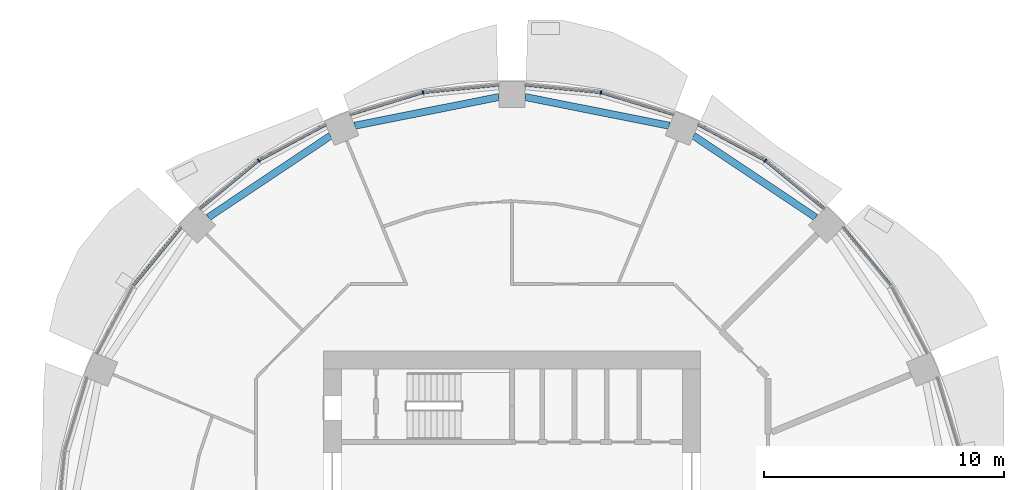
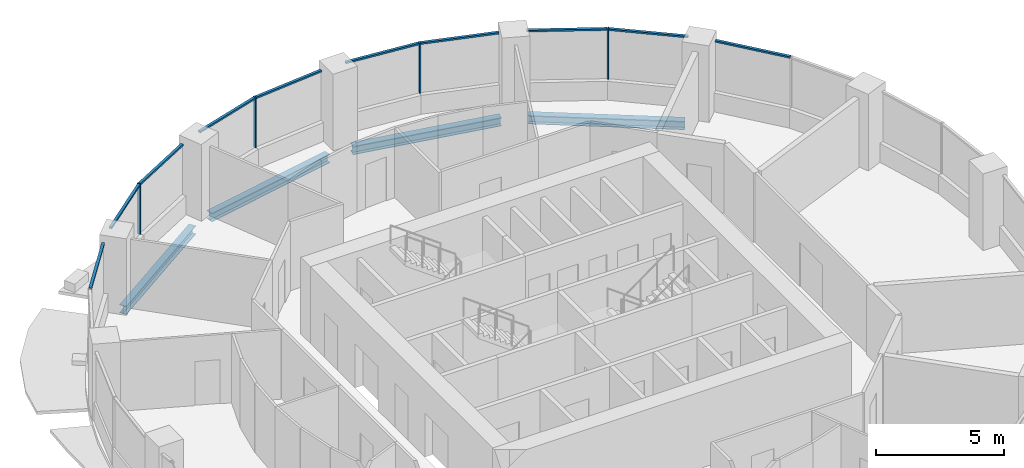
# One storey, part 5 of 14: 14 members, 4 beams, 6 elements without a shape of their own.
"""IFC4 building model written with IfcOpenShell, lengths in metres."""

from ifc_helpers import new_model, si_unit, direction, frame, origin, origin_2d, place, context, subcontext, project, spatial, rectangle, i_section, extrude, material, material_profile, profile_set, type_object, element, aggregate, save


model = new_model("IFC4")

# Units and contexts
model_context = context("Model", 3, precision=1e-05, world=origin(), true_north=direction((0.0, 1.0)))
body_context = subcontext(model_context, "Body", "Model", "MODEL_VIEW")
ifc_project = project(units=[si_unit("LENGTHUNIT", "METRE"), si_unit("AREAUNIT", "SQUARE_METRE"), si_unit("VOLUMEUNIT", "CUBIC_METRE"), si_unit("PLANEANGLEUNIT", "RADIAN"), si_unit("MASSUNIT", "GRAM", prefix="KILO")], contexts=[model_context])

# Site, building, storey
site_placement = place(None, origin())
site = spatial("IfcSite", under=ifc_project, at=site_placement, CompositionType="ELEMENT")
building_placement = place(site_placement, origin())
building = spatial("IfcBuilding", under=site, at=building_placement, Name="Polderwave Tower", CompositionType="ELEMENT")
storey_placement = place(building_placement, frame((0.0, 0.0, 105.60009765625)))
storey = spatial("IfcBuildingStorey", under=building, at=storey_placement, Name="L27", CompositionType="ELEMENT", Elevation=105.60009765625)

# Curtain wall, member
ifc_material_1 = material(Name="Aluminium 6063-T6 and glass", Category="aluminium")
curtain_wall_type = type_object("IfcCurtainWallType", Name="Growing floor ribbon glazing wall", PredefinedType="NOTDEFINED", material=ifc_material_1)
curtain_wall_1_placement = place(storey_placement, origin())
curtain_wall_1 = element("IfcCurtainWall", 1, at=curtain_wall_1_placement, inside=storey, type_object=curtain_wall_type, Name="CW2 L27 02", PredefinedType="NOTDEFINED")
ifc_material_2 = material(Name="Aluminium 6063-T6", Category="aluminium")
ifc_material_profile_1 = material_profile(ifc_material_2, rectangle(XDim=0.14990234375, YDim=0.06005859375, at=origin_2d()), Name="AL 60x150")
ifc_profile_set_1 = profile_set([ifc_material_profile_1], Name="Aluminium 6063-T6")
member_type_1 = type_object("IfcMemberType", Name="Growing floor ribbon glazing mullion 60x150", PredefinedType="MULLION", material=ifc_profile_set_1)
member_1_placement = place(storey_placement, frame((10.572998046875, 15.822998046875, 0.89990234375), z_axis=(0.0, 0.0, 1.0), x_axis=(-0.555584744817, -0.831459915646, 0.0)))
member_1 = element("IfcMember", 2, at=member_1_placement, type_object=member_type_1, Name="CW2 mullion 1", PredefinedType="MULLION", context=body_context, shape_type="SweptSolid", body=[
    extrude(rectangle(XDim=0.14990234375, YDim=0.06005859375, at=origin_2d()), origin(), (0.0, 0.0, 1.0), 2.39990234375),
])

curtain_wall_2_placement = place(storey_placement, origin())
curtain_wall_2 = element("IfcCurtainWall", 3, at=curtain_wall_2_placement, inside=storey, type_object=curtain_wall_type, Name="CW2 L27 03", PredefinedType="NOTDEFINED")
member_2_placement = place(storey_placement, frame((3.712890625, 18.6640625, 0.89990234375), z_axis=(0.0, 0.0, 1.0), x_axis=(-0.195092033809, -0.980784939905, 0.0)))
member_2 = element("IfcMember", 4, at=member_2_placement, type_object=member_type_1, Name="CW2 mullion 1", PredefinedType="MULLION", context=body_context, shape_type="SweptSolid", body=[
    extrude(rectangle(XDim=0.14990234375, YDim=0.06005859375, at=origin_2d()), origin(), (0.0, 0.0, 1.0), 2.39990234375),
])

curtain_wall_3_placement = place(storey_placement, origin())
curtain_wall_3 = element("IfcCurtainWall", 5, at=curtain_wall_3_placement, inside=storey, type_object=curtain_wall_type, Name="CW2 L27 04", PredefinedType="NOTDEFINED")
member_3_placement = place(storey_placement, frame((-3.712890625, 18.6640625, 0.89990234375), z_axis=(0.0, 0.0, 1.0), x_axis=(0.195092033809, -0.980784939905, 0.0)))
member_3 = element("IfcMember", 6, at=member_3_placement, type_object=member_type_1, Name="CW2 mullion 1", PredefinedType="MULLION", context=body_context, shape_type="SweptSolid", body=[
    extrude(rectangle(XDim=0.14990234375, YDim=0.06005859375, at=origin_2d()), origin(), (0.0, 0.0, 1.0), 2.39990234375),
])

curtain_wall_4_placement = place(storey_placement, origin())
curtain_wall_4 = element("IfcCurtainWall", 7, at=curtain_wall_4_placement, inside=storey, type_object=curtain_wall_type, Name="CW2 L27 05", PredefinedType="NOTDEFINED")
member_4_placement = place(storey_placement, frame((-10.572998046875, 15.822998046875, 0.89990234375), z_axis=(0.0, 0.0, 1.0), x_axis=(0.555584744817, -0.831459915646, 0.0)))
member_4 = element("IfcMember", 8, at=member_4_placement, type_object=member_type_1, Name="CW2 mullion 1", PredefinedType="MULLION", context=body_context, shape_type="SweptSolid", body=[
    extrude(rectangle(XDim=0.14990234375, YDim=0.06005859375, at=origin_2d()), origin(), (0.0, 0.0, 1.0), 2.39990234375),
])

curtain_wall_5_placement = place(storey_placement, origin())
curtain_wall_5 = element("IfcCurtainWall", 9, at=curtain_wall_5_placement, inside=storey, type_object=curtain_wall_type, Name="CW2 L27 01", PredefinedType="NOTDEFINED")
ifc_material_profile_2 = material_profile(ifc_material_2, rectangle(XDim=0.1201171875, YDim=0.080078125, at=origin_2d()), Name="AL 80x120")
ifc_profile_set_2 = profile_set([ifc_material_profile_2], Name="Aluminium 6063-T6")
member_type_2 = type_object("IfcMemberType", Name="Growing floor ribbon glazing transom 80x120", PredefinedType="USERDEFINED", material=ifc_profile_set_2)
member_5_placement = place(storey_placement, frame((15.803955078125, 10.59619140625, 3.260009765625), z_axis=(-0.634483003965, 0.77293681351, 0.0), x_axis=(-0.77293681351, -0.634483003965, 0.0)))
member_5 = element("IfcMember", 10, at=member_5_placement, type_object=member_type_2, Name="CW2 transom 2", ObjectType="TRANSOM", PredefinedType="USERDEFINED", context=body_context, shape_type="SweptSolid", body=[
    extrude(rectangle(XDim=0.1201171875, YDim=0.080078125, at=origin_2d()), origin(), (0.0, 0.0, 1.0), 3.1474609375),
])
aggregate(curtain_wall_5, [member_5])

# Member
member_6_placement = place(storey_placement, frame((13.029052734375, 13.806884765625, 3.260009765625), z_axis=(-0.77293681351, 0.634483003965, 0.0), x_axis=(-0.634483003965, -0.77293681351, 0.0)))
member_6 = element("IfcMember", 11, at=member_6_placement, type_object=member_type_2, Name="CW2 transom 1", ObjectType="TRANSOM", PredefinedType="USERDEFINED", context=body_context, shape_type="SweptSolid", body=[
    extrude(rectangle(XDim=0.1201171875, YDim=0.080078125, at=origin_2d()), origin(), (0.0, 0.0, 1.0), 3.1474609375),
])

member_7_placement = place(storey_placement, frame((10.54638671875, 15.837158203125, 3.260009765625), z_axis=(-0.88193611562, 0.471368950997, 0.0), x_axis=(-0.471368950997, -0.88193611562, 0.0)))
member_7 = element("IfcMember", 12, at=member_7_placement, type_object=member_type_2, Name="CW2 transom 2", ObjectType="TRANSOM", PredefinedType="USERDEFINED", context=body_context, shape_type="SweptSolid", body=[
    extrude(rectangle(XDim=0.1201171875, YDim=0.080078125, at=origin_2d()), origin(), (0.0, 0.0, 1.0), 3.14794921875),
])

aggregate(curtain_wall_1, [member_1, member_6, member_7])

member_8_placement = place(storey_placement, frame((6.75390625, 17.741943359375, 3.260009765625), z_axis=(-0.956976770627, 0.290164540356, 0.0), x_axis=(-0.290164540356, -0.956976770627, 0.0)))
member_8 = element("IfcMember", 13, at=member_8_placement, type_object=member_type_2, Name="CW2 transom 1", ObjectType="TRANSOM", PredefinedType="USERDEFINED", context=body_context, shape_type="SweptSolid", body=[
    extrude(rectangle(XDim=0.1201171875, YDim=0.080078125, at=origin_2d()), origin(), (0.0, 0.0, 1.0), 3.147705078125),
])

member_9_placement = place(storey_placement, frame((3.68310546875, 18.6669921875, 3.260009765625), z_axis=(-0.995169132792, 0.098175338745, 0.0), x_axis=(-0.098175338745, -0.995169132792, 0.0)))
member_9 = element("IfcMember", 14, at=member_9_placement, type_object=member_type_2, Name="CW2 transom 2", ObjectType="TRANSOM", PredefinedType="USERDEFINED", context=body_context, shape_type="SweptSolid", body=[
    extrude(rectangle(XDim=0.1201171875, YDim=0.080078125, at=origin_2d()), origin(), (0.0, 0.0, 1.0), 3.148193359375),
])

aggregate(curtain_wall_2, [member_2, member_8, member_9])

member_10_placement = place(storey_placement, frame((-0.550048828125, 18.97607421875, 3.260009765625), z_axis=(-0.995169132792, -0.098175338745, 0.0), x_axis=(0.098175338745, -0.995169132792, 0.0)))
member_10 = element("IfcMember", 15, at=member_10_placement, type_object=member_type_2, Name="CW2 transom 1", ObjectType="TRANSOM", PredefinedType="USERDEFINED", context=body_context, shape_type="SweptSolid", body=[
    extrude(rectangle(XDim=0.1201171875, YDim=0.080078125, at=origin_2d()), origin(), (0.0, 0.0, 1.0), 3.148193359375),
])

member_11_placement = place(storey_placement, frame((-3.74169921875, 18.6552734375, 3.260009765625), z_axis=(-0.956976770627, -0.290164540356, 0.0), x_axis=(0.290164540356, -0.956976770627, 0.0)))
member_11 = element("IfcMember", 16, at=member_11_placement, type_object=member_type_2, Name="CW2 transom 2", ObjectType="TRANSOM", PredefinedType="USERDEFINED", context=body_context, shape_type="SweptSolid", body=[
    extrude(rectangle(XDim=0.1201171875, YDim=0.080078125, at=origin_2d()), origin(), (0.0, 0.0, 1.0), 3.147705078125),
])

aggregate(curtain_wall_3, [member_3, member_10, member_11])

member_12_placement = place(storey_placement, frame((-7.77001953125, 17.321044921875, 3.260009765625), z_axis=(-0.88193611562, -0.471368950997, 0.0), x_axis=(0.471368950997, -0.88193611562, 0.0)))
member_12 = element("IfcMember", 17, at=member_12_placement, type_object=member_type_2, Name="CW2 transom 1", ObjectType="TRANSOM", PredefinedType="USERDEFINED", context=body_context, shape_type="SweptSolid", body=[
    extrude(rectangle(XDim=0.1201171875, YDim=0.080078125, at=origin_2d()), origin(), (0.0, 0.0, 1.0), 3.14794921875),
])

member_13_placement = place(storey_placement, frame((-10.59619140625, 15.803955078125, 3.260009765625), z_axis=(-0.77293681351, -0.634483003965, 0.0), x_axis=(0.634483003965, -0.77293681351, 0.0)))
member_13 = element("IfcMember", 18, at=member_13_placement, type_object=member_type_2, Name="CW2 transom 2", ObjectType="TRANSOM", PredefinedType="USERDEFINED", context=body_context, shape_type="SweptSolid", body=[
    extrude(rectangle(XDim=0.1201171875, YDim=0.080078125, at=origin_2d()), origin(), (0.0, 0.0, 1.0), 3.1474609375),
])

aggregate(curtain_wall_4, [member_4, member_12, member_13])

# Curtain wall, member
curtain_wall_6_placement = place(storey_placement, origin())
curtain_wall_6 = element("IfcCurtainWall", 19, at=curtain_wall_6_placement, inside=storey, type_object=curtain_wall_type, Name="CW2 L27 06", PredefinedType="NOTDEFINED")
member_14_placement = place(storey_placement, frame((-13.806884765625, 13.029052734375, 3.260009765625), z_axis=(-0.634483003965, -0.77293681351, 0.0), x_axis=(0.77293681351, -0.634483003965, 0.0)))
member_14 = element("IfcMember", 20, at=member_14_placement, type_object=member_type_2, Name="CW2 transom 1", ObjectType="TRANSOM", PredefinedType="USERDEFINED", context=body_context, shape_type="SweptSolid", body=[
    extrude(rectangle(XDim=0.1201171875, YDim=0.080078125, at=origin_2d()), origin(), (0.0, 0.0, 1.0), 3.1474609375),
])
aggregate(curtain_wall_6, [member_14])

# Beams
ifc_material_3 = material(Name="Steel S355", Category="steel")
ifc_material_profile_3 = material_profile(ifc_material_3, i_section(OverallWidth=0.300048828125, OverallDepth=0.39990234375, WebThickness=0.013427734375, FlangeThickness=0.02392578125, at=origin_2d()), Name="HE 400 B")
ifc_profile_set_3 = profile_set([ifc_material_profile_3], Name="Steel S355")
beam_type = type_object("IfcBeamType", Name="RING BEAM HE 400 B", PredefinedType="BEAM", material=ifc_profile_set_3)
beam_1_placement = place(storey_placement, frame((12.671875, 13.44970703125, -0.550048828125), z_axis=(-0.83147985083, 0.555554909675, 0.0), x_axis=(-0.555554909675, -0.83147985083, 0.0)))
element("IfcBeam", 21, at=beam_1_placement, inside=storey, type_object=beam_type, Name="ST-RB-L27-02", PredefinedType="BEAM", context=body_context, shape_type="SweptSolid", body=[
    extrude(i_section(OverallWidth=0.300048828125, OverallDepth=0.39990234375, WebThickness=0.013427734375, FlangeThickness=0.02392578125, at=origin_2d()), origin(), (0.0, 0.0, 1.0), 6.128173828125),
])
for number, where, z_axis, x_axis, name in (
    (22, (6.560302734375, 17.275146484375, -0.550048828125), (-0.980783943751, 0.195097041699, 0.0), (-0.195097041699, -0.980783943751, 0.0), "ST-RB-L27-03"),
    (23, (-0.550048828125, 18.470703125, -0.550048828125), (-0.980783943751, -0.195097041699, 0.0), (0.195097041699, -0.980783943751, 0.0), "ST-RB-L27-04"),
):
    element("IfcBeam", number, at=place(storey_placement, frame(where, z_axis=z_axis, x_axis=x_axis)), inside=storey, type_object=beam_type, Name=name, PredefinedType="BEAM", context=body_context, shape_type="SweptSolid", body=[
        extrude(i_section(OverallWidth=0.300048828125, OverallDepth=0.39990234375, WebThickness=0.013427734375, FlangeThickness=0.02392578125, at=origin_2d()), origin(), (0.0, 0.0, 1.0), 6.1279296875),
    ])
beam_2_placement = place(storey_placement, frame((-7.576416015625, 16.854248046875, -0.550048828125), z_axis=(-0.83147985083, -0.555554909675, 0.0), x_axis=(0.555554909675, -0.83147985083, 0.0)))
element("IfcBeam", 24, at=beam_2_placement, inside=storey, type_object=beam_type, Name="ST-RB-L27-05", PredefinedType="BEAM", context=body_context, shape_type="SweptSolid", body=[
    extrude(i_section(OverallWidth=0.300048828125, OverallDepth=0.39990234375, WebThickness=0.013427734375, FlangeThickness=0.02392578125, at=origin_2d()), origin(), (0.0, 0.0, 1.0), 6.128173828125),
])

save(model, "model.ifc")
